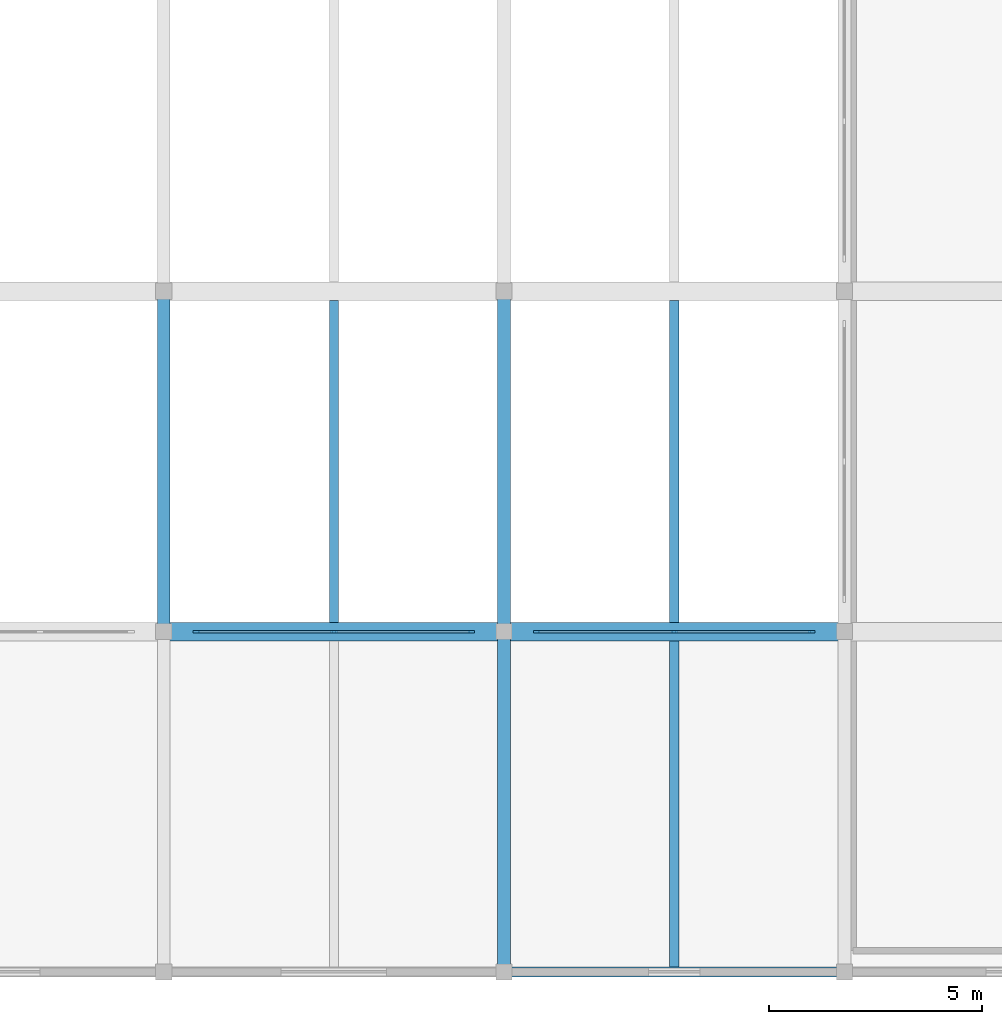
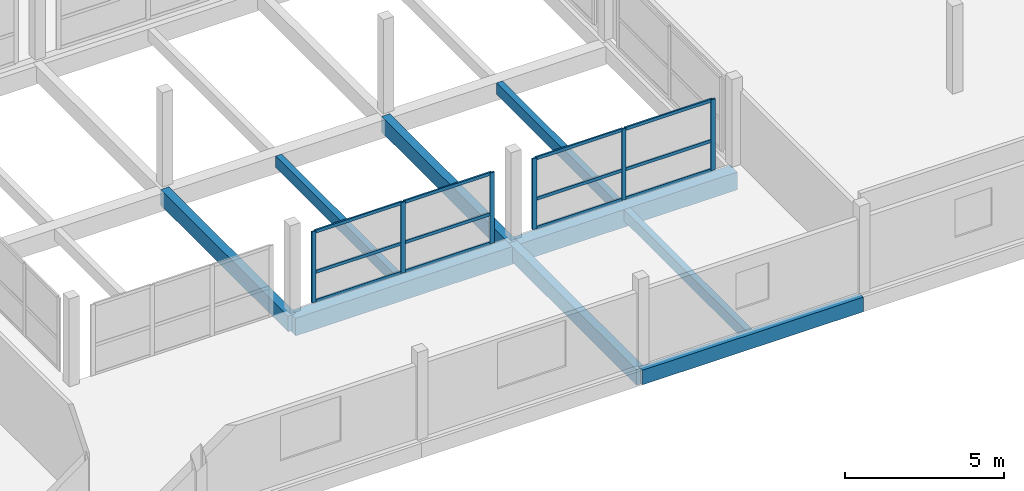
# One storey, part 9 of 34: 18 members, 9 beams, 2 elements without a shape of their own.
"""IFC4 building model written with IfcOpenShell, lengths in metres."""

import ifcopenshell
import ifcopenshell.guid

model = None  # the IFC model being written
_history = None  # IfcOwnerHistory: only IFC2X3 demands one
_inside = {}  # id of a spatial element -> (the spatial element, [elements in it])
_under = {}  # id of a project, library or spatial element -> (it, [spatial elements below it])
_declared = {}  # id of a project -> (the project, [libraries it declares])
_typed = {}  # id of a type object -> (the type object, [elements of that type])
_made_of = {}  # id of a material, layer set ... -> (it, [elements and type objects made of it])


def new_model(schema):
    """Start an empty IFC model of exactly this schema.

    Asked for "IFC4X3", IfcOpenShell would pick the latest addendum, in which some entities
    have other attributes; the version numbers below select the first issue.
    IFC2X3 requires an IfcOwnerHistory on every rooted entity: one is made here for all.
    """
    global model, _history
    if schema == "IFC4X3":
        model = ifcopenshell.file(schema_version=(4, 3, 0, 0))
    else:
        model = ifcopenshell.file(schema=schema)
    _inside.clear()
    _under.clear()
    _declared.clear()
    _typed.clear()
    _made_of.clear()
    _history = None
    if model.schema == "IFC2X3":
        org = make("IfcOrganization", Name="unknown")
        user = make(
            "IfcPersonAndOrganization",
            ThePerson=make("IfcPerson", FamilyName="unknown"),
            TheOrganization=org,
        )
        app = make(
            "IfcApplication",
            ApplicationDeveloper=org,
            Version="unknown",
            ApplicationFullName="unknown",
            ApplicationIdentifier="unknown",
        )
        _history = make(
            "IfcOwnerHistory",
            OwningUser=user,
            OwningApplication=app,
            ChangeAction="ADDED",
            CreationDate=0,
        )
    return model


def make(cls, **values):
    """One entity of the class cls with the attributes given. An attribute that is None is left unset."""
    return model.create_entity(
        cls, **{name: value for name, value in values.items() if value is not None}
    )


def rooted(cls, **values):
    """An entity with a GlobalId (a new one), such as an element, a storey or a relation."""
    return make(cls, GlobalId=ifcopenshell.guid.new(), OwnerHistory=_history, **values)


def si_unit(unit_type, name, prefix=None):
    """IfcSIUnit, for example si_unit("LENGTHUNIT", "METRE", prefix="MILLI")."""
    return make("IfcSIUnit", UnitType=unit_type, Prefix=prefix, Name=name)


def assignment(units):
    """IfcUnitAssignment: the units of a project."""
    return None if units is None else make("IfcUnitAssignment", Units=units)


def point(xyz):
    """IfcCartesianPoint."""
    return None if xyz is None else make("IfcCartesianPoint", Coordinates=xyz)


def direction(xyz):
    """IfcDirection."""
    return None if xyz is None else make("IfcDirection", DirectionRatios=xyz)


def frame(location, z_axis=None, x_axis=None):
    """IfcAxis2Placement3D, a coordinate frame: its origin and axes. An axis left out is left unset."""
    return make(
        "IfcAxis2Placement3D",
        Location=point(location),
        Axis=direction(z_axis),
        RefDirection=direction(x_axis),
    )


def frame_2d(location, x_axis=None):
    """IfcAxis2Placement2D, a coordinate frame in the plane: its origin and x axis."""
    return make(
        "IfcAxis2Placement2D", Location=point(location), RefDirection=direction(x_axis)
    )


def origin():
    """The frame at (0, 0, 0) with its axes left unset."""
    return frame((0.0, 0.0, 0.0))


def origin_2d():
    """The frame at (0, 0) in the plane with its x axis left unset."""
    return frame_2d((0.0, 0.0))


def place(relative_to, where):
    """IfcLocalPlacement: puts the frame where relative to a parent placement (None: the world)."""
    return make(
        "IfcLocalPlacement", PlacementRelTo=relative_to, RelativePlacement=where
    )


def context(
    kind, dimensions, precision=None, world=None, true_north=None, identifier=None
):
    """IfcGeometricRepresentationContext, for example the 3D "Model" context."""
    return make(
        "IfcGeometricRepresentationContext",
        ContextIdentifier=identifier,
        ContextType=kind,
        CoordinateSpaceDimension=dimensions,
        Precision=precision,
        WorldCoordinateSystem=world,
        TrueNorth=true_north,
    )


def subcontext(parent, identifier, kind, view, scale=None):
    """IfcGeometricRepresentationSubContext, for example "Body" below "Model"."""
    return make(
        "IfcGeometricRepresentationSubContext",
        ContextIdentifier=identifier,
        ContextType=kind,
        ParentContext=parent,
        TargetScale=scale,
        TargetView=view,
    )


def project(units=None, contexts=None):
    """IfcProject with its units and contexts."""
    return rooted(
        "IfcProject",
        Name="project",
        RepresentationContexts=contexts,
        UnitsInContext=assignment(units),
    )


def spatial(cls, under=None, at=None, **own):
    """A site, building, storey or space (cls), placed at a placement, below another one or the project."""
    s = rooted(cls, ObjectPlacement=at, **own)
    if under is not None:
        _under.setdefault(under.id(), (under, []))[1].append(s)
    return s


def profile(cls, at=None, kind="AREA", **sizes):
    """A parametric profile (cls). Its sizes go by their IFC names, for example OverallWidth=200.0."""
    return make(cls, ProfileType=kind, Position=at, **sizes)


def rectangle(**sizes):
    """IfcRectangleProfileDef."""
    return profile("IfcRectangleProfileDef", **sizes)


def extrude(swept, where, along, depth):
    """IfcExtrudedAreaSolid: the profile swept, set in the frame where, extruded along a direction by depth."""
    return make(
        "IfcExtrudedAreaSolid",
        SweptArea=swept,
        Position=where,
        ExtrudedDirection=direction(along),
        Depth=depth,
    )


def shape(context_of_items, identifier, shape_type, items):
    """IfcShapeRepresentation: the items that make up one representation, for example the "Body"."""
    return make(
        "IfcShapeRepresentation",
        ContextOfItems=context_of_items,
        RepresentationIdentifier=identifier,
        RepresentationType=shape_type,
        Items=items,
    )


def material(Name=None, Category=None):
    """IfcMaterial."""
    return make("IfcMaterial", Name=Name, Category=Category)


def material_profile(
    of_material, cross_section, Name=None, Category=None, Priority=None
):
    """IfcMaterialProfile: a cross section and its material."""
    return make(
        "IfcMaterialProfile",
        Name=Name,
        Material=of_material,
        Profile=cross_section,
        Priority=Priority,
        Category=Category,
    )


def profile_set(profiles, Name=None, composite=None):
    """IfcMaterialProfileSet."""
    return make(
        "IfcMaterialProfileSet",
        Name=Name,
        MaterialProfiles=profiles,
        CompositeProfile=composite,
    )


def made_of(thing, what):
    """Note that an element or type object is made of a material, layer set ...; save() writes the relation."""
    if what is not None:
        _made_of.setdefault(what.id(), (what, []))[1].append(thing)
    return thing


def type_object(cls, material=None, **own):
    """A type object (cls), such as IfcWallType, which elements share."""
    return made_of(rooted(cls, **own), material)


def element(
    cls,
    number,
    at=None,
    inside=None,
    cuts=None,
    type_object=None,
    material=None,
    context=None,
    identifier="Body",
    shape_type=None,
    held_by="IfcProductDefinitionShape",
    body=None,
    shapes=None,
    **own,
):
    """One element of the class cls, such as IfcWall. Its Tag is "e" and its number.

    at: its placement. inside: the storey or other place that contains it. cuts: it is an
    opening in that element (IfcRelVoidsElement). A single representation is given by context,
    identifier, shape_type and body (its items); several are given by shapes. held_by: the class
    of the entity that holds the representations. save() writes the other relations.
    """
    e = rooted(cls, Tag="e%d" % number, ObjectPlacement=at, **own)
    if body is not None:
        shapes = [shape(context, identifier, shape_type, body)]
    if shapes is not None:
        e.Representation = make(held_by, Representations=shapes)
    if inside is not None:
        _inside.setdefault(inside.id(), (inside, []))[1].append(e)
    if cuts is not None:
        rooted(
            "IfcRelVoidsElement", RelatingBuildingElement=cuts, RelatedOpeningElement=e
        )
    if type_object is not None:
        _typed.setdefault(type_object.id(), (type_object, []))[1].append(e)
    return made_of(e, material)


def aggregate(whole, parts):
    """IfcRelAggregates: a whole, such as a stair, and the parts it consists of."""
    return rooted("IfcRelAggregates", RelatingObject=whole, RelatedObjects=parts)


def save(model, path):
    """Write the relations noted so far, then the file.

    IfcRelAggregates (storeys below a building ...), IfcRelContainedInSpatialStructure (elements
    in a storey), IfcRelDefinesByType, IfcRelAssociatesMaterial and IfcRelDeclares: one each for
    every whole, place, type object, material and project.
    """
    for whole, parts in _under.values():
        aggregate(whole, parts)
    for where, things in _inside.values():
        rooted(
            "IfcRelContainedInSpatialStructure",
            RelatedElements=things,
            RelatingStructure=where,
        )
    for kind, things in _typed.values():
        rooted("IfcRelDefinesByType", RelatedObjects=things, RelatingType=kind)
    for what, things in _made_of.values():
        rooted("IfcRelAssociatesMaterial", RelatedObjects=things, RelatingMaterial=what)
    for by, libraries in _declared.values():
        rooted("IfcRelDeclares", RelatingContext=by, RelatedDefinitions=libraries)
    model.write(path)


model = new_model("IFC4")

# Units and contexts
model_context = context("Model", 3, precision=1e-05, world=origin(), true_north=direction((0.0, 1.0)))
body_context = subcontext(model_context, "Body", "Model", "MODEL_VIEW")
ifc_project = project(units=[si_unit("LENGTHUNIT", "METRE"), si_unit("AREAUNIT", "SQUARE_METRE"), si_unit("VOLUMEUNIT", "CUBIC_METRE"), si_unit("PLANEANGLEUNIT", "RADIAN"), si_unit("MASSUNIT", "GRAM", prefix="KILO")], contexts=[model_context])

# Site, building, storey
site_placement = place(None, origin())
site = spatial("IfcSite", under=ifc_project, at=site_placement, CompositionType="ELEMENT")
building_placement = place(site_placement, origin())
building = spatial("IfcBuilding", under=site, at=building_placement, Name="Vharandega Faculty of Natural Sciences", CompositionType="ELEMENT")
storey_placement = place(building_placement, frame((0.0, 0.0, 21.60009765625)))
storey = spatial("IfcBuildingStorey", under=building, at=storey_placement, Name="L05", CompositionType="ELEMENT", Elevation=21.60009765625)

# Curtain wall, members
ifc_material_1 = material(Name="Aluminium and solar-control glass curtain wall", Category="aluminium")
curtain_wall_type_1 = type_object("IfcCurtainWallType", Name="Unitised Curtain Wall System CW-12", PredefinedType="NOTDEFINED", material=ifc_material_1)
curtain_wall_1_placement = place(storey_placement, origin())
curtain_wall_1 = element("IfcCurtainWall", 1, at=curtain_wall_1_placement, inside=storey, type_object=curtain_wall_type_1, Name="Curtain Wall CW-L05-207", PredefinedType="NOTDEFINED")
ifc_material_2 = material(Name="Thermally broken aluminium 6063-T6", Category="aluminium")
ifc_material_profile_1 = material_profile(ifc_material_2, rectangle(XDim=0.06005859375, YDim=0.159912109375, at=origin_2d()), Name="ALU 60x160")
ifc_profile_set_1 = profile_set([ifc_material_profile_1], Name="Thermally broken aluminium 6063-T6")
member_type_1 = type_object("IfcMemberType", Name="CW Mullion 60x160", PredefinedType="MULLION", material=ifc_profile_set_1)
member_1_placement = place(storey_placement, frame((16.77001953125, 24.0, 0.0), z_axis=(0.0, 0.0, 1.0), x_axis=(0.0, 1.0, 0.0)))
member_1 = element("IfcMember", 2, at=member_1_placement, type_object=member_type_1, Name="CW-12 mullion 1", PredefinedType="MULLION", context=body_context, shape_type="SweptSolid", body=[
    extrude(rectangle(XDim=0.06005859375, YDim=0.159912109375, at=origin_2d()), origin(), (0.0, 0.0, 1.0), 2.719970703125),
])
member_2_placement = place(storey_placement, frame((20.0, 24.0, 0.0), z_axis=(0.0, 0.0, 1.0), x_axis=(0.0, 1.0, 0.0)))
member_2 = element("IfcMember", 3, at=member_2_placement, type_object=member_type_1, Name="CW-12 mullion 2", PredefinedType="MULLION", context=body_context, shape_type="SweptSolid", body=[
    extrude(rectangle(XDim=0.06005859375, YDim=0.159912109375, at=origin_2d()), origin(), (0.0, 0.0, 1.0), 2.719970703125),
])
member_3_placement = place(storey_placement, frame((23.22998046875, 24.0, 0.0), z_axis=(0.0, 0.0, 1.0), x_axis=(0.0, 1.0, 0.0)))
member_3 = element("IfcMember", 4, at=member_3_placement, type_object=member_type_1, Name="CW-12 mullion 3", PredefinedType="MULLION", context=body_context, shape_type="SweptSolid", body=[
    extrude(rectangle(XDim=0.06005859375, YDim=0.159912109375, at=origin_2d()), origin(), (0.0, 0.0, 1.0), 2.719970703125),
])

ifc_material_3 = material(Name="Aluminium and solar-control glass curtain wall", Category="aluminium")
curtain_wall_type_2 = type_object("IfcCurtainWallType", Name="Unitised Curtain Wall System CW-14", PredefinedType="NOTDEFINED", material=ifc_material_3)
curtain_wall_2_placement = place(storey_placement, origin())
curtain_wall_2 = element("IfcCurtainWall", 5, at=curtain_wall_2_placement, inside=storey, type_object=curtain_wall_type_2, Name="Curtain Wall CW-L05-209", PredefinedType="NOTDEFINED")
member_4_placement = place(storey_placement, frame((24.77001953125, 24.0, 0.0), z_axis=(0.0, 0.0, 1.0), x_axis=(0.0, 1.0, 0.0)))
member_4 = element("IfcMember", 6, at=member_4_placement, type_object=member_type_1, Name="CW-14 mullion 1", PredefinedType="MULLION", context=body_context, shape_type="SweptSolid", body=[
    extrude(rectangle(XDim=0.06005859375, YDim=0.159912109375, at=origin_2d()), origin(), (0.0, 0.0, 1.0), 2.719970703125),
])
member_5_placement = place(storey_placement, frame((28.0, 24.0, 0.0), z_axis=(0.0, 0.0, 1.0), x_axis=(0.0, 1.0, 0.0)))
member_5 = element("IfcMember", 7, at=member_5_placement, type_object=member_type_1, Name="CW-14 mullion 2", PredefinedType="MULLION", context=body_context, shape_type="SweptSolid", body=[
    extrude(rectangle(XDim=0.06005859375, YDim=0.159912109375, at=origin_2d()), origin(), (0.0, 0.0, 1.0), 2.719970703125),
])
member_6_placement = place(storey_placement, frame((31.22998046875, 24.0, 0.0), z_axis=(0.0, 0.0, 1.0), x_axis=(0.0, 1.0, 0.0)))
member_6 = element("IfcMember", 8, at=member_6_placement, type_object=member_type_1, Name="CW-14 mullion 3", PredefinedType="MULLION", context=body_context, shape_type="SweptSolid", body=[
    extrude(rectangle(XDim=0.06005859375, YDim=0.159912109375, at=origin_2d()), origin(), (0.0, 0.0, 1.0), 2.719970703125),
])

# Member
ifc_material_4 = material(Name="Thermally broken aluminium 6063-T6", Category="aluminium")
ifc_material_profile_2 = material_profile(ifc_material_4, rectangle(XDim=0.06005859375, YDim=0.1201171875, at=origin_2d()), Name="ALU 60x120")
ifc_profile_set_2 = profile_set([ifc_material_profile_2], Name="Thermally broken aluminium 6063-T6")
member_type_2 = type_object("IfcMemberType", Name="CW Transom 60x120", PredefinedType="USERDEFINED", material=ifc_profile_set_2)
member_7_placement = place(storey_placement, frame((16.800048828125, 24.0, 0.02978515625), z_axis=(1.0, 0.0, 0.0), x_axis=(0.0, 1.0, 0.0)))
member_7 = element("IfcMember", 9, at=member_7_placement, type_object=member_type_2, Name="CW-12 transom 1.1", ObjectType="TRANSOM", PredefinedType="USERDEFINED", context=body_context, shape_type="SweptSolid", body=[
    extrude(rectangle(XDim=0.06005859375, YDim=0.1201171875, at=origin_2d()), origin(), (0.0, 0.0, 1.0), 3.169921875),
])

member_8_placement = place(storey_placement, frame((16.800048828125, 24.0, 1.142333984375), z_axis=(1.0, 0.0, 0.0), x_axis=(0.0, 1.0, 0.0)))
member_8 = element("IfcMember", 10, at=member_8_placement, type_object=member_type_2, Name="CW-12 transom 1.2", ObjectType="TRANSOM", PredefinedType="USERDEFINED", context=body_context, shape_type="SweptSolid", body=[
    extrude(rectangle(XDim=0.06005859375, YDim=0.1201171875, at=origin_2d()), origin(), (0.0, 0.0, 1.0), 3.169921875),
])

member_9_placement = place(storey_placement, frame((16.800048828125, 24.0, 2.68994140625), z_axis=(1.0, 0.0, 0.0), x_axis=(0.0, 1.0, 0.0)))
member_9 = element("IfcMember", 11, at=member_9_placement, type_object=member_type_2, Name="CW-12 transom 1.3", ObjectType="TRANSOM", PredefinedType="USERDEFINED", context=body_context, shape_type="SweptSolid", body=[
    extrude(rectangle(XDim=0.06005859375, YDim=0.1201171875, at=origin_2d()), origin(), (0.0, 0.0, 1.0), 3.169921875),
])

member_10_placement = place(storey_placement, frame((20.030029296875, 24.0, 0.02978515625), z_axis=(1.0, 0.0, 0.0), x_axis=(0.0, 1.0, 0.0)))
member_10 = element("IfcMember", 12, at=member_10_placement, type_object=member_type_2, Name="CW-12 transom 2.1", ObjectType="TRANSOM", PredefinedType="USERDEFINED", context=body_context, shape_type="SweptSolid", body=[
    extrude(rectangle(XDim=0.06005859375, YDim=0.1201171875, at=origin_2d()), origin(), (0.0, 0.0, 1.0), 3.169921875),
])

member_11_placement = place(storey_placement, frame((20.030029296875, 24.0, 1.142333984375), z_axis=(1.0, 0.0, 0.0), x_axis=(0.0, 1.0, 0.0)))
member_11 = element("IfcMember", 13, at=member_11_placement, type_object=member_type_2, Name="CW-12 transom 2.2", ObjectType="TRANSOM", PredefinedType="USERDEFINED", context=body_context, shape_type="SweptSolid", body=[
    extrude(rectangle(XDim=0.06005859375, YDim=0.1201171875, at=origin_2d()), origin(), (0.0, 0.0, 1.0), 3.169921875),
])

member_12_placement = place(storey_placement, frame((20.030029296875, 24.0, 2.68994140625), z_axis=(1.0, 0.0, 0.0), x_axis=(0.0, 1.0, 0.0)))
member_12 = element("IfcMember", 14, at=member_12_placement, type_object=member_type_2, Name="CW-12 transom 2.3", ObjectType="TRANSOM", PredefinedType="USERDEFINED", context=body_context, shape_type="SweptSolid", body=[
    extrude(rectangle(XDim=0.06005859375, YDim=0.1201171875, at=origin_2d()), origin(), (0.0, 0.0, 1.0), 3.169921875),
])

aggregate(curtain_wall_1, [member_1, member_2, member_3, member_7, member_8, member_9, member_10, member_11, member_12])

member_13_placement = place(storey_placement, frame((24.800048828125, 24.0, 0.02978515625), z_axis=(1.0, 0.0, 0.0), x_axis=(0.0, 1.0, 0.0)))
member_13 = element("IfcMember", 15, at=member_13_placement, type_object=member_type_2, Name="CW-14 transom 1.1", ObjectType="TRANSOM", PredefinedType="USERDEFINED", context=body_context, shape_type="SweptSolid", body=[
    extrude(rectangle(XDim=0.06005859375, YDim=0.1201171875, at=origin_2d()), origin(), (0.0, 0.0, 1.0), 3.169921875),
])

member_14_placement = place(storey_placement, frame((24.800048828125, 24.0, 1.142333984375), z_axis=(1.0, 0.0, 0.0), x_axis=(0.0, 1.0, 0.0)))
member_14 = element("IfcMember", 16, at=member_14_placement, type_object=member_type_2, Name="CW-14 transom 1.2", ObjectType="TRANSOM", PredefinedType="USERDEFINED", context=body_context, shape_type="SweptSolid", body=[
    extrude(rectangle(XDim=0.06005859375, YDim=0.1201171875, at=origin_2d()), origin(), (0.0, 0.0, 1.0), 3.169921875),
])

member_15_placement = place(storey_placement, frame((24.800048828125, 24.0, 2.68994140625), z_axis=(1.0, 0.0, 0.0), x_axis=(0.0, 1.0, 0.0)))
member_15 = element("IfcMember", 17, at=member_15_placement, type_object=member_type_2, Name="CW-14 transom 1.3", ObjectType="TRANSOM", PredefinedType="USERDEFINED", context=body_context, shape_type="SweptSolid", body=[
    extrude(rectangle(XDim=0.06005859375, YDim=0.1201171875, at=origin_2d()), origin(), (0.0, 0.0, 1.0), 3.169921875),
])

member_16_placement = place(storey_placement, frame((28.030029296875, 24.0, 0.02978515625), z_axis=(1.0, 0.0, 0.0), x_axis=(0.0, 1.0, 0.0)))
member_16 = element("IfcMember", 18, at=member_16_placement, type_object=member_type_2, Name="CW-14 transom 2.1", ObjectType="TRANSOM", PredefinedType="USERDEFINED", context=body_context, shape_type="SweptSolid", body=[
    extrude(rectangle(XDim=0.06005859375, YDim=0.1201171875, at=origin_2d()), origin(), (0.0, 0.0, 1.0), 3.169921875),
])

member_17_placement = place(storey_placement, frame((28.030029296875, 24.0, 1.142333984375), z_axis=(1.0, 0.0, 0.0), x_axis=(0.0, 1.0, 0.0)))
member_17 = element("IfcMember", 19, at=member_17_placement, type_object=member_type_2, Name="CW-14 transom 2.2", ObjectType="TRANSOM", PredefinedType="USERDEFINED", context=body_context, shape_type="SweptSolid", body=[
    extrude(rectangle(XDim=0.06005859375, YDim=0.1201171875, at=origin_2d()), origin(), (0.0, 0.0, 1.0), 3.169921875),
])

member_18_placement = place(storey_placement, frame((28.030029296875, 24.0, 2.68994140625), z_axis=(1.0, 0.0, 0.0), x_axis=(0.0, 1.0, 0.0)))
member_18 = element("IfcMember", 20, at=member_18_placement, type_object=member_type_2, Name="CW-14 transom 2.3", ObjectType="TRANSOM", PredefinedType="USERDEFINED", context=body_context, shape_type="SweptSolid", body=[
    extrude(rectangle(XDim=0.06005859375, YDim=0.1201171875, at=origin_2d()), origin(), (0.0, 0.0, 1.0), 3.169921875),
])

aggregate(curtain_wall_2, [member_4, member_5, member_6, member_13, member_14, member_15, member_16, member_17, member_18])

# Beams
ifc_material_5 = material(Name="Glulam GL28h", Category="wood")
ifc_material_profile_3 = material_profile(ifc_material_5, rectangle(XDim=0.300048828125, YDim=0.60009765625, at=origin_2d()), Name="GL28h 300x600")
ifc_profile_set_3 = profile_set([ifc_material_profile_3], Name="Glulam GL28h")
beam_type_1 = type_object("IfcBeamType", Name="Glulam Floor Beam 300x600", PredefinedType="BEAM", material=ifc_profile_set_3)
for number, where, z_axis, x_axis, name in (
    (21, (16.0, 24.0, -0.52001953125), (0.0, 1.0, 0.0), (-1.0, 0.0, 0.0), "Beam L05 3/D-E"),
    (22, (24.0, 16.0, -0.52001953125), (0.0, 1.0, 0.0), (-1.0, 0.0, 0.0), "Beam L05 4/C-D"),
    (23, (24.0, 24.0, -0.52001953125), (0.0, 1.0, 0.0), (-1.0, 0.0, 0.0), "Beam L05 4/D-E"),
):
    element("IfcBeam", number, at=place(storey_placement, frame(where, z_axis=z_axis, x_axis=x_axis)), inside=storey, type_object=beam_type_1, Name=name, PredefinedType="BEAM", context=body_context, shape_type="SweptSolid", body=[
        extrude(rectangle(XDim=0.300048828125, YDim=0.60009765625, at=origin_2d()), origin(), (0.0, 0.0, 1.0), 8.0),
    ])
ifc_material_6 = material(Name="Glulam GL32h", Category="wood")
ifc_material_profile_4 = material_profile(ifc_material_6, rectangle(XDim=0.43994140625, YDim=0.679931640625, at=origin_2d()), Name="GL32h 440x680")
ifc_profile_set_4 = profile_set([ifc_material_profile_4], Name="Glulam GL32h")
beam_type_2 = type_object("IfcBeamType", Name="Glulam Girder 440x680", PredefinedType="BEAM", material=ifc_profile_set_4)
for number, where, z_axis, x_axis, name in (
    (24, (16.0, 24.0, -0.56005859375), (1.0, 0.0, 0.0), (0.0, 1.0, 0.0), "Beam L05 D/3-4"),
    (25, (24.0, 24.0, -0.56005859375), (1.0, 0.0, 0.0), (0.0, 1.0, 0.0), "Beam L05 D/4-5"),
):
    element("IfcBeam", number, at=place(storey_placement, frame(where, z_axis=z_axis, x_axis=x_axis)), inside=storey, type_object=beam_type_2, Name=name, PredefinedType="BEAM", context=body_context, shape_type="SweptSolid", body=[
        extrude(rectangle(XDim=0.43994140625, YDim=0.679931640625, at=origin_2d()), origin(), (0.0, 0.0, 1.0), 8.0),
    ])
ifc_material_7 = material(Name="Glulam GL28h", Category="wood")
ifc_material_profile_5 = material_profile(ifc_material_7, rectangle(XDim=0.219970703125, YDim=0.43994140625, at=origin_2d()), Name="GL28h 220x440")
ifc_profile_set_5 = profile_set([ifc_material_profile_5], Name="Glulam GL28h")
beam_type_3 = type_object("IfcBeamType", Name="Glulam Secondary Joist 220x440", PredefinedType="JOIST", material=ifc_profile_set_5)
beam_1_placement = place(storey_placement, frame((20.0, 24.219970703125, -0.440185546875), z_axis=(0.0, 1.0, 0.0), x_axis=(-1.0, 0.0, 0.0)))
element("IfcBeam", 26, at=beam_1_placement, inside=storey, type_object=beam_type_3, Name="Secondary Joist L05 3-4/D-E", PredefinedType="JOIST", context=body_context, shape_type="SweptSolid", body=[
    extrude(rectangle(XDim=0.219970703125, YDim=0.43994140625, at=origin_2d()), origin(), (0.0, 0.0, 1.0), 7.56005859375),
])
beam_2_placement = place(storey_placement, frame((28.0, 16.1201171875, -0.440185546875), z_axis=(0.0, 1.0, 0.0), x_axis=(-1.0, 0.0, 0.0)))
element("IfcBeam", 27, at=beam_2_placement, inside=storey, type_object=beam_type_3, Name="Secondary Joist L05 4-5/C-D", PredefinedType="JOIST", context=body_context, shape_type="SweptSolid", body=[
    extrude(rectangle(XDim=0.219970703125, YDim=0.43994140625, at=origin_2d()), origin(), (0.0, 0.0, 1.0), 7.659912109375),
])
beam_3_placement = place(storey_placement, frame((28.0, 24.219970703125, -0.440185546875), z_axis=(0.0, 1.0, 0.0), x_axis=(-1.0, 0.0, 0.0)))
element("IfcBeam", 28, at=beam_3_placement, inside=storey, type_object=beam_type_3, Name="Secondary Joist L05 4-5/D-E", PredefinedType="JOIST", context=body_context, shape_type="SweptSolid", body=[
    extrude(rectangle(XDim=0.219970703125, YDim=0.43994140625, at=origin_2d()), origin(), (0.0, 0.0, 1.0), 7.56005859375),
])
ifc_material_8 = material(Name="Glulam GL28h", Category="wood")
ifc_material_profile_6 = material_profile(ifc_material_8, rectangle(XDim=0.239990234375, YDim=0.56005859375, at=origin_2d()), Name="GL28h 240x560")
ifc_profile_set_6 = profile_set([ifc_material_profile_6], Name="Glulam GL28h")
beam_type_4 = type_object("IfcBeamType", Name="Glulam Spandrel Edge Beam 240x560", PredefinedType="SPANDREL", material=ifc_profile_set_6)
beam_4_placement = place(storey_placement, frame((24.0, 16.0, -0.5), z_axis=(1.0, 0.0, 0.0), x_axis=(0.0, 1.0, 0.0)))
element("IfcBeam", 29, at=beam_4_placement, inside=storey, type_object=beam_type_4, Name="Beam L05 C/4-5", PredefinedType="SPANDREL", context=body_context, shape_type="SweptSolid", body=[
    extrude(rectangle(XDim=0.239990234375, YDim=0.56005859375, at=origin_2d()), origin(), (0.0, 0.0, 1.0), 8.0),
])

save(model, "model.ifc")
